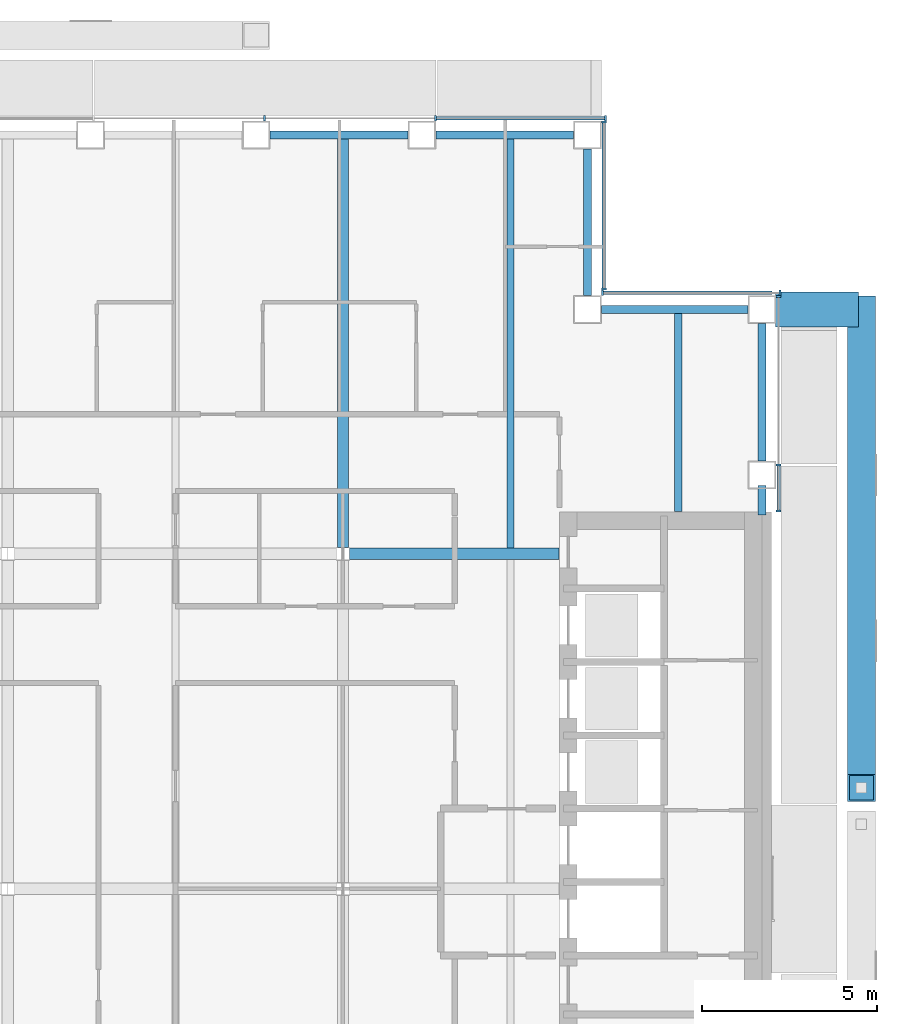
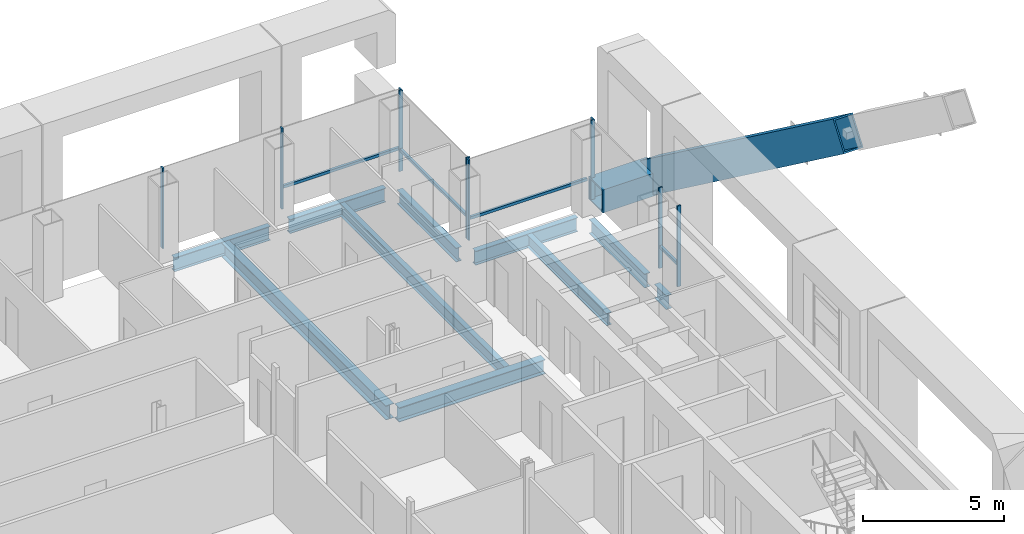
# One storey, part 10 of 22: 15 members, 11 beams, 4 elements without a shape of their own.
"""IFC4 building model written with IfcOpenShell, lengths in metres."""

from ifc_helpers import new_model, si_unit, direction, frame, origin, origin_2d, place, context, subcontext, project, spatial, rectangle, hollow_rectangle, i_section, extrude, material, material_profile, profile_set, type_object, element, aggregate, save


model = new_model("IFC4")

# Units and contexts
model_context = context("Model", 3, precision=1e-05, world=origin(), true_north=direction((0.0, 1.0)))
body_context = subcontext(model_context, "Body", "Model", "MODEL_VIEW")
ifc_project = project(units=[si_unit("LENGTHUNIT", "METRE"), si_unit("AREAUNIT", "SQUARE_METRE"), si_unit("VOLUMEUNIT", "CUBIC_METRE"), si_unit("PLANEANGLEUNIT", "RADIAN"), si_unit("MASSUNIT", "GRAM", prefix="KILO")], contexts=[model_context])

# Site, building, storey
site_placement = place(None, origin())
site = spatial("IfcSite", under=ifc_project, at=site_placement, CompositionType="ELEMENT")
building_placement = place(site_placement, origin())
building = spatial("IfcBuilding", under=site, at=building_placement, Name="Cobrizo Arcos Hotel Tower", CompositionType="ELEMENT")
storey_placement = place(building_placement, frame((0.0, 0.0, 155.0)))
storey = spatial("IfcBuildingStorey", under=building, at=storey_placement, Name="L39", CompositionType="ELEMENT", Elevation=155.0)

# Beam
ifc_material_1 = material(Name="Steel ASTM A572 Grade 50", Category="steel")
ifc_material_profile_1 = material_profile(ifc_material_1, hollow_rectangle(XDim=1.0, YDim=1.0, WallThickness=0.06005859375, at=origin_2d()), Name="BOX 1000X1000X60")
ifc_profile_set_1 = profile_set([ifc_material_profile_1], Name="Steel ASTM A572 Grade 50")
beam_type_1 = type_object("IfcBeamType", Name="BOX 1000X1000X60 brace connector strut", PredefinedType="BEAM", material=ifc_profile_set_1)
beam_1_placement = place(storey_placement, frame((21.989990234375, 16.60009765625, 0.5), z_axis=(1.0, 0.0, 0.0), x_axis=(0.0, 1.0, 0.0)))
element("IfcBeam", 1, at=beam_1_placement, inside=storey, type_object=beam_type_1, Name="Perimeter brace stub BS1, zone Z3, east face, offset +16.60 m, L39", PredefinedType="BEAM", context=body_context, shape_type="SweptSolid", body=[
    extrude(hollow_rectangle(XDim=1.0, YDim=1.0, WallThickness=0.06005859375, at=origin_2d()), origin(), (0.0, 0.0, 1.0), 2.380126953125),
])

# Member
ifc_material_profile_2 = material_profile(ifc_material_1, hollow_rectangle(XDim=0.800048828125, YDim=1.300048828125, WallThickness=0.06005859375, at=origin_2d()), Name="BOX 800X1300X60")
ifc_profile_set_2 = profile_set([ifc_material_profile_2], Name="Steel ASTM A572 Grade 50")
member_type_1 = type_object("IfcMemberType", Name="BOX 800X1300X60 perimeter brace", PredefinedType="BRACE", material=ifc_profile_set_2)
member_1_placement = place(storey_placement, frame((24.449951171875, 16.60009765625, 0.5), z_axis=(0.0, -0.804630166974, 0.593776299961), x_axis=(1.0, 0.0, 0.0)))
element("IfcMember", 2, at=member_1_placement, inside=storey, type_object=member_type_1, Name="Perimeter brace PBR3, zone Z3, east face, no. 07", PredefinedType="BRACE", context=body_context, shape_type="SweptSolid", body=[
    extrude(hollow_rectangle(XDim=0.800048828125, YDim=1.300048828125, WallThickness=0.06005859375, at=origin_2d()), origin(), (0.0, 0.0, 1.0), 17.033447265625),
])

# Curtain wall, members
ifc_material_2 = material(Name="Aluminium 6063-T6 anodised bronze", Category="aluminium")
curtain_wall_type = type_object("IfcCurtainWallType", Name="CW-A guest facade", PredefinedType="NOTDEFINED", material=ifc_material_2)
curtain_wall_1_placement = place(storey_placement, origin())
curtain_wall_1 = element("IfcCurtainWall", 3, at=curtain_wall_1_placement, inside=storey, type_object=curtain_wall_type, Name="CW-A L39 E face", PredefinedType="NOTDEFINED")
ifc_material_profile_3 = material_profile(ifc_material_2, rectangle(XDim=0.14990234375, YDim=0.06005859375, at=origin_2d()), Name="CW-A mullion 150x60")
ifc_profile_set_3 = profile_set([ifc_material_profile_3], Name="Aluminium 6063-T6 anodised bronze")
member_type_2 = type_object("IfcMemberType", Name="CW-A mullion 150x60", PredefinedType="MULLION", material=ifc_profile_set_3)
member_2_placement = place(storey_placement, frame((22.074951171875, 10.830078125, 0.0), z_axis=(0.0, 0.0, 1.0), x_axis=(1.0, 0.0, 0.0)))
member_2 = element("IfcMember", 4, at=member_2_placement, type_object=member_type_2, Name="CW-A mullion 1", PredefinedType="MULLION", context=body_context, shape_type="SweptSolid", body=[
    extrude(rectangle(XDim=0.14990234375, YDim=0.06005859375, at=origin_2d()), origin(), (0.0, 0.0, 1.0), 3.5),
])
member_3_placement = place(storey_placement, frame((22.074951171875, 12.142822265625, 0.0), z_axis=(0.0, 0.0, 1.0), x_axis=(1.0, 0.0, 0.0)))
member_3 = element("IfcMember", 5, at=member_3_placement, type_object=member_type_2, Name="CW-A mullion 2", PredefinedType="MULLION", context=body_context, shape_type="SweptSolid", body=[
    extrude(rectangle(XDim=0.14990234375, YDim=0.06005859375, at=origin_2d()), origin(), (0.0, 0.0, 1.0), 3.5),
])
member_4_placement = place(storey_placement, frame((22.074951171875, 16.969970703125, 0.0), z_axis=(0.0, 0.0, 1.0), x_axis=(1.0, 0.0, 0.0)))
member_4 = element("IfcMember", 6, at=member_4_placement, type_object=member_type_2, Name="CW-A mullion 3", PredefinedType="MULLION", context=body_context, shape_type="SweptSolid", body=[
    extrude(rectangle(XDim=0.14990234375, YDim=0.06005859375, at=origin_2d()), origin(), (0.0, 0.0, 1.0), 3.5),
])

curtain_wall_2_placement = place(storey_placement, origin())
curtain_wall_2 = element("IfcCurtainWall", 7, at=curtain_wall_2_placement, inside=storey, type_object=curtain_wall_type, Name="CW-A L39 N face", PredefinedType="NOTDEFINED")
member_5_placement = place(storey_placement, frame((22.1201171875, 17.074951171875, 0.0), z_axis=(0.0, 0.0, 1.0), x_axis=(0.0, 1.0, 0.0)))
member_5 = element("IfcMember", 8, at=member_5_placement, type_object=member_type_2, Name="CW-A mullion 1", PredefinedType="MULLION", context=body_context, shape_type="SweptSolid", body=[
    extrude(rectangle(XDim=0.14990234375, YDim=0.06005859375, at=origin_2d()), origin(), (0.0, 0.0, 1.0), 3.5),
])
member_6_placement = place(storey_placement, frame((17.030029296875, 17.074951171875, 0.0), z_axis=(0.0, 0.0, 1.0), x_axis=(0.0, 1.0, 0.0)))
member_6 = element("IfcMember", 9, at=member_6_placement, type_object=member_type_2, Name="CW-A mullion 2", PredefinedType="MULLION", context=body_context, shape_type="SweptSolid", body=[
    extrude(rectangle(XDim=0.14990234375, YDim=0.06005859375, at=origin_2d()), origin(), (0.0, 0.0, 1.0), 3.5),
])

curtain_wall_3_placement = place(storey_placement, origin())
curtain_wall_3 = element("IfcCurtainWall", 10, at=curtain_wall_3_placement, inside=storey, type_object=curtain_wall_type, Name="CW-A L39 E face", PredefinedType="NOTDEFINED")
member_7_placement = place(storey_placement, frame((17.074951171875, 17.179931640625, 0.0), z_axis=(0.0, 0.0, 1.0), x_axis=(1.0, 0.0, 0.0)))
member_7 = element("IfcMember", 11, at=member_7_placement, type_object=member_type_2, Name="CW-A mullion 1", PredefinedType="MULLION", context=body_context, shape_type="SweptSolid", body=[
    extrude(rectangle(XDim=0.14990234375, YDim=0.06005859375, at=origin_2d()), origin(), (0.0, 0.0, 1.0), 3.5),
])
member_8_placement = place(storey_placement, frame((17.074951171875, 21.969970703125, 0.0), z_axis=(0.0, 0.0, 1.0), x_axis=(1.0, 0.0, 0.0)))
member_8 = element("IfcMember", 12, at=member_8_placement, type_object=member_type_2, Name="CW-A mullion 2", PredefinedType="MULLION", context=body_context, shape_type="SweptSolid", body=[
    extrude(rectangle(XDim=0.14990234375, YDim=0.06005859375, at=origin_2d()), origin(), (0.0, 0.0, 1.0), 3.5),
])

curtain_wall_4_placement = place(storey_placement, origin())
curtain_wall_4 = element("IfcCurtainWall", 13, at=curtain_wall_4_placement, inside=storey, type_object=curtain_wall_type, Name="CW-A L39 N face", PredefinedType="NOTDEFINED")
member_9_placement = place(storey_placement, frame((17.1201171875, 22.074951171875, 0.0), z_axis=(0.0, 0.0, 1.0), x_axis=(0.0, 1.0, 0.0)))
member_9 = element("IfcMember", 14, at=member_9_placement, type_object=member_type_2, Name="CW-A mullion 1", PredefinedType="MULLION", context=body_context, shape_type="SweptSolid", body=[
    extrude(rectangle(XDim=0.14990234375, YDim=0.06005859375, at=origin_2d()), origin(), (0.0, 0.0, 1.0), 3.5),
])
member_10_placement = place(storey_placement, frame((12.25, 22.074951171875, 0.0), z_axis=(0.0, 0.0, 1.0), x_axis=(0.0, 1.0, 0.0)))
member_10 = element("IfcMember", 15, at=member_10_placement, type_object=member_type_2, Name="CW-A mullion 2", PredefinedType="MULLION", context=body_context, shape_type="SweptSolid", body=[
    extrude(rectangle(XDim=0.14990234375, YDim=0.06005859375, at=origin_2d()), origin(), (0.0, 0.0, 1.0), 3.5),
])
member_11_placement = place(storey_placement, frame((7.35009765625, 22.074951171875, 0.0), z_axis=(0.0, 0.0, 1.0), x_axis=(0.0, 1.0, 0.0)))
member_11 = element("IfcMember", 16, at=member_11_placement, type_object=member_type_2, Name="CW-A mullion 3", PredefinedType="MULLION", context=body_context, shape_type="SweptSolid", body=[
    extrude(rectangle(XDim=0.14990234375, YDim=0.06005859375, at=origin_2d()), origin(), (0.0, 0.0, 1.0), 3.5),
])

# Member
ifc_material_profile_4 = material_profile(ifc_material_2, rectangle(XDim=0.10009765625, YDim=0.1201171875, at=origin_2d()), Name="CW-A transom 120x100")
ifc_profile_set_4 = profile_set([ifc_material_profile_4], Name="Aluminium 6063-T6 anodised bronze")
member_type_3 = type_object("IfcMemberType", Name="CW-A transom 120x100", PredefinedType="USERDEFINED", material=ifc_profile_set_4)
member_12_placement = place(storey_placement, frame((22.074951171875, 10.860107421875, 0.929931640625), z_axis=(0.0, 1.0, 0.0), x_axis=(-1.0, 0.0, 0.0)))
member_12 = element("IfcMember", 17, at=member_12_placement, type_object=member_type_3, Name="CW-A transom 1407", ObjectType="TRANSOM", PredefinedType="USERDEFINED", context=body_context, shape_type="SweptSolid", body=[
    extrude(rectangle(XDim=0.10009765625, YDim=0.1201171875, at=origin_2d()), origin(), (0.0, 0.0, 1.0), 1.252685546875),
])

aggregate(curtain_wall_1, [member_2, member_3, member_4, member_12])

member_13_placement = place(storey_placement, frame((21.889892578125, 17.074951171875, 0.929931640625), z_axis=(-1.0, 0.0, 0.0), x_axis=(0.0, -1.0, 0.0)))
member_13 = element("IfcMember", 18, at=member_13_placement, type_object=member_type_3, Name="CW-A transom 1409", ObjectType="TRANSOM", PredefinedType="USERDEFINED", context=body_context, shape_type="SweptSolid", body=[
    extrude(rectangle(XDim=0.10009765625, YDim=0.1201171875, at=origin_2d()), origin(), (0.0, 0.0, 1.0), 4.829833984375),
])

aggregate(curtain_wall_2, [member_5, member_6, member_13])

member_14_placement = place(storey_placement, frame((17.074951171875, 17.2099609375, 0.929931640625), z_axis=(0.0, 1.0, 0.0), x_axis=(-1.0, 0.0, 0.0)))
member_14 = element("IfcMember", 19, at=member_14_placement, type_object=member_type_3, Name="CW-A transom 1410", ObjectType="TRANSOM", PredefinedType="USERDEFINED", context=body_context, shape_type="SweptSolid", body=[
    extrude(rectangle(XDim=0.10009765625, YDim=0.1201171875, at=origin_2d()), origin(), (0.0, 0.0, 1.0), 4.72998046875),
])

aggregate(curtain_wall_3, [member_7, member_8, member_14])

member_15_placement = place(storey_placement, frame((17.090087890625, 22.074951171875, 0.929931640625), z_axis=(-1.0, 0.0, 0.0), x_axis=(0.0, -1.0, 0.0)))
member_15 = element("IfcMember", 20, at=member_15_placement, type_object=member_type_3, Name="CW-A transom 1411", ObjectType="TRANSOM", PredefinedType="USERDEFINED", context=body_context, shape_type="SweptSolid", body=[
    extrude(rectangle(XDim=0.10009765625, YDim=0.1201171875, at=origin_2d()), origin(), (0.0, 0.0, 1.0), 4.81005859375),
])

aggregate(curtain_wall_4, [member_9, member_10, member_11, member_15])

# Beams
ifc_material_3 = material(Name="Steel ASTM A992 Grade 50", Category="steel")
ifc_material_profile_5 = material_profile(ifc_material_3, i_section(OverallWidth=0.209228515625, OverallDepth=0.533447265625, WebThickness=0.01025390625, FlangeThickness=0.015625, at=origin_2d()), Name="W21X62")
ifc_profile_set_5 = profile_set([ifc_material_profile_5], Name="Steel ASTM A992 Grade 50")
beam_type_2 = type_object("IfcBeamType", Name="W21X62 joist", PredefinedType="JOIST", material=ifc_profile_set_5)
beam_2_placement = place(storey_placement, frame((14.39990234375, 9.763916015625, -0.416748046875), z_axis=(0.0, 1.0, 0.0), x_axis=(-1.0, 0.0, 0.0)))
element("IfcBeam", 21, at=beam_2_placement, inside=storey, type_object=beam_type_2, Name="Floor joist J1, L39, no. 018", PredefinedType="JOIST", context=body_context, shape_type="SweptSolid", body=[
    extrude(i_section(OverallWidth=0.209228515625, OverallDepth=0.533447265625, WebThickness=0.01025390625, FlangeThickness=0.015625, at=origin_2d()), origin(), (0.0, 0.0, 1.0), 11.74609375),
])
beam_3_placement = place(storey_placement, frame((19.199951171875, 10.81005859375, -0.416748046875), z_axis=(0.0, 1.0, 0.0), x_axis=(-1.0, 0.0, 0.0)))
element("IfcBeam", 22, at=beam_3_placement, inside=storey, type_object=beam_type_2, Name="Floor joist J1, L39, no. 020", PredefinedType="JOIST", context=body_context, shape_type="SweptSolid", body=[
    extrude(i_section(OverallWidth=0.209228515625, OverallDepth=0.533447265625, WebThickness=0.01025390625, FlangeThickness=0.015625, at=origin_2d()), origin(), (0.0, 0.0, 1.0), 5.699951171875),
])
ifc_material_profile_6 = material_profile(ifc_material_3, i_section(OverallWidth=0.32763671875, OverallDepth=0.622314453125, WebThickness=0.015380859375, FlangeThickness=0.0244140625, at=origin_2d()), Name="W24X131")
ifc_profile_set_6 = profile_set([ifc_material_profile_6], Name="Steel ASTM A992 Grade 50")
beam_type_3 = type_object("IfcBeamType", Name="W24X131 girder", PredefinedType="BEAM", material=ifc_profile_set_6)
beam_4_placement = place(storey_placement, frame((9.78662109375, 9.60009765625, -0.461181640625), z_axis=(1.0, 0.0, 0.0), x_axis=(0.0, 1.0, 0.0)))
element("IfcBeam", 23, at=beam_4_placement, inside=storey, type_object=beam_type_3, Name="Floor girder G1, L39, no. 012", PredefinedType="BEAM", context=body_context, shape_type="SweptSolid", body=[
    extrude(i_section(OverallWidth=0.32763671875, OverallDepth=0.622314453125, WebThickness=0.015380859375, FlangeThickness=0.0244140625, at=origin_2d()), origin(), (0.0, 0.0, 1.0), 6.00341796875),
])
beam_5_placement = place(storey_placement, frame((9.60009765625, 9.78662109375, -0.461181640625), z_axis=(0.0, 1.0, 0.0), x_axis=(-1.0, 0.0, 0.0)))
element("IfcBeam", 24, at=beam_5_placement, inside=storey, type_object=beam_type_3, Name="Floor girder G1, L39, no. 024", PredefinedType="BEAM", context=body_context, shape_type="SweptSolid", body=[
    extrude(i_section(OverallWidth=0.32763671875, OverallDepth=0.622314453125, WebThickness=0.015380859375, FlangeThickness=0.0244140625, at=origin_2d()), origin(), (0.0, 0.0, 1.0), 11.723388671875),
])
ifc_material_profile_7 = material_profile(ifc_material_3, i_section(OverallWidth=0.228271484375, OverallDepth=0.607177734375, WebThickness=0.01123046875, FlangeThickness=0.017333984375, at=origin_2d()), Name="W24X76")
ifc_profile_set_7 = profile_set([ifc_material_profile_7], Name="Steel ASTM A992 Grade 50")
beam_type_4 = type_object("IfcBeamType", Name="W24X76 spandrel", PredefinedType="SPANDREL", material=ifc_profile_set_7)
beam_6_placement = place(storey_placement, frame((21.60009765625, 10.7099609375, -0.45361328125), z_axis=(0.0, 1.0, 0.0), x_axis=(-1.0, 0.0, 0.0)))
element("IfcBeam", 25, at=beam_6_placement, inside=storey, type_object=beam_type_4, Name="Spandrel beam W24X76, L39, no. 012", PredefinedType="SPANDREL", context=body_context, shape_type="SweptSolid", body=[
    extrude(i_section(OverallWidth=0.228271484375, OverallDepth=0.607177734375, WebThickness=0.01123046875, FlangeThickness=0.017333984375, at=origin_2d()), origin(), (0.0, 0.0, 1.0), 0.846923828125),
])
beam_7_placement = place(storey_placement, frame((21.60009765625, 12.257080078125, -0.45361328125), z_axis=(0.0, 1.0, 0.0), x_axis=(-1.0, 0.0, 0.0)))
element("IfcBeam", 26, at=beam_7_placement, inside=storey, type_object=beam_type_4, Name="Spandrel beam W24X76, L39, no. 013", PredefinedType="SPANDREL", context=body_context, shape_type="SweptSolid", body=[
    extrude(i_section(OverallWidth=0.228271484375, OverallDepth=0.607177734375, WebThickness=0.01123046875, FlangeThickness=0.017333984375, at=origin_2d()), origin(), (0.0, 0.0, 1.0), 3.94287109375),
])
for number, where, z_axis, x_axis, name in (
    (27, (21.199951171875, 16.60009765625, -0.45361328125), (-1.0, 0.0, 0.0), (0.0, -1.0, 0.0), "Spandrel beam W24X76, L39, no. 014"),
    (28, (16.60009765625, 17.0, -0.45361328125), (0.0, 1.0, 0.0), (-1.0, 0.0, 0.0), "Spandrel beam W24X76, L39, no. 015"),
):
    element("IfcBeam", number, at=place(storey_placement, frame(where, z_axis=z_axis, x_axis=x_axis)), inside=storey, type_object=beam_type_4, Name=name, PredefinedType="SPANDREL", context=body_context, shape_type="SweptSolid", body=[
        extrude(i_section(OverallWidth=0.228271484375, OverallDepth=0.607177734375, WebThickness=0.01123046875, FlangeThickness=0.017333984375, at=origin_2d()), origin(), (0.0, 0.0, 1.0), 4.199951171875),
    ])
beam_8_placement = place(storey_placement, frame((16.199951171875, 21.60009765625, -0.45361328125), z_axis=(-1.0, 0.0, 0.0), x_axis=(0.0, -1.0, 0.0)))
element("IfcBeam", 29, at=beam_8_placement, inside=storey, type_object=beam_type_4, Name="Spandrel beam W24X76, L39, no. 016", PredefinedType="SPANDREL", context=body_context, shape_type="SweptSolid", body=[
    extrude(i_section(OverallWidth=0.228271484375, OverallDepth=0.607177734375, WebThickness=0.01123046875, FlangeThickness=0.017333984375, at=origin_2d()), origin(), (0.0, 0.0, 1.0), 3.94287109375),
])
beam_9_placement = place(storey_placement, frame((11.45703125, 21.60009765625, -0.45361328125), z_axis=(-1.0, 0.0, 0.0), x_axis=(0.0, -1.0, 0.0)))
element("IfcBeam", 30, at=beam_9_placement, inside=storey, type_object=beam_type_4, Name="Spandrel beam W24X76, L39, no. 017", PredefinedType="SPANDREL", context=body_context, shape_type="SweptSolid", body=[
    extrude(i_section(OverallWidth=0.228271484375, OverallDepth=0.607177734375, WebThickness=0.01123046875, FlangeThickness=0.017333984375, at=origin_2d()), origin(), (0.0, 0.0, 1.0), 3.943115234375),
])

save(model, "model.ifc")
